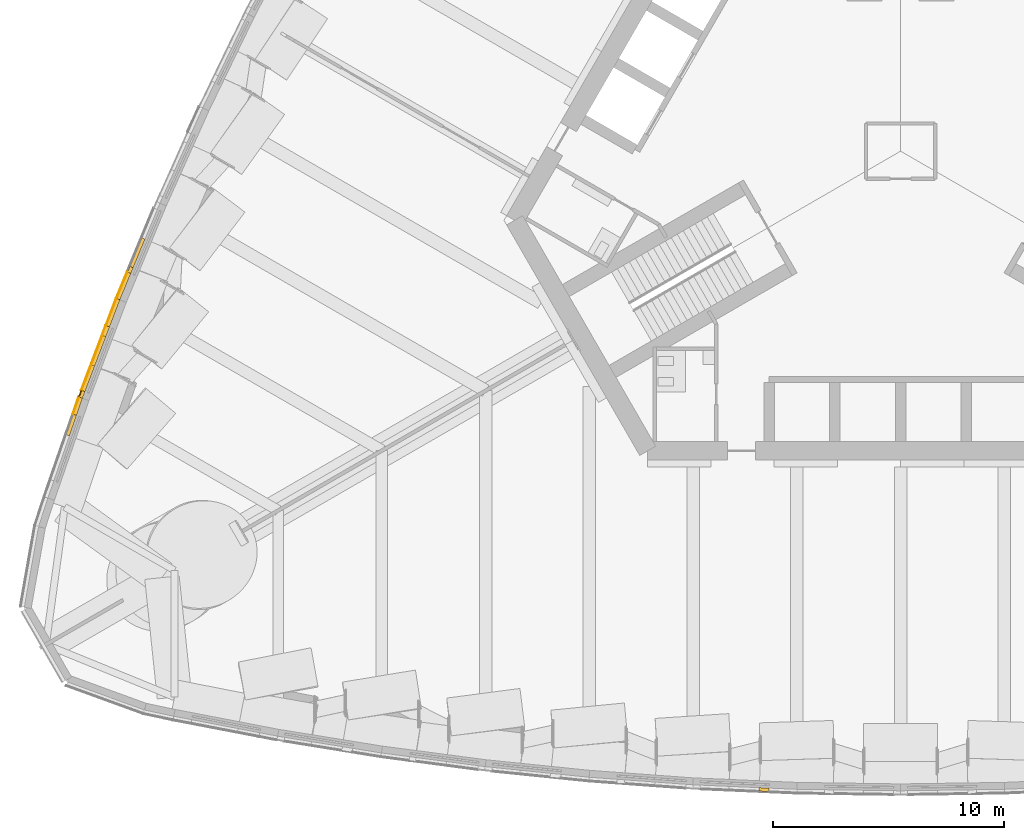
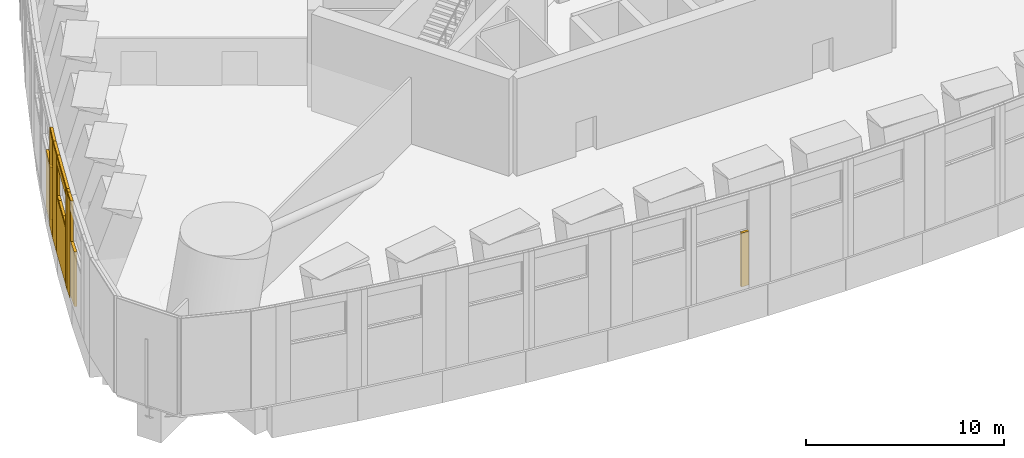
# One storey, part 15 of 28: 18 coverings.
"""IFC4 building model written with IfcOpenShell, lengths in metres."""

from ifc_helpers import new_model, si_unit, direction, frame, origin, origin_2d, place, context, subcontext, project, spatial, rectangle, extrude, material, layer, layer_set, type_object, element, save


model = new_model("IFC4")

# Units and contexts
model_context = context("Model", 3, precision=1e-05, world=origin(), true_north=direction((0.0, 1.0)))
body_context = subcontext(model_context, "Body", "Model", "MODEL_VIEW")
ifc_project = project(units=[si_unit("LENGTHUNIT", "METRE"), si_unit("AREAUNIT", "SQUARE_METRE"), si_unit("VOLUMEUNIT", "CUBIC_METRE"), si_unit("PLANEANGLEUNIT", "RADIAN"), si_unit("MASSUNIT", "GRAM", prefix="KILO")], contexts=[model_context])

# Site, building, storey
site_placement = place(None, origin())
site = spatial("IfcSite", under=ifc_project, at=site_placement, CompositionType="ELEMENT")
building_placement = place(site_placement, origin())
building = spatial("IfcBuilding", under=site, at=building_placement, Name="Trefoil Bronze Tower", CompositionType="ELEMENT")
storey_placement = place(building_placement, frame((0.0, 0.0, 92.10009765625)))
storey = spatial("IfcBuildingStorey", under=building, at=storey_placement, Name="L21", CompositionType="ELEMENT", Elevation=92.10009765625)

# Coverings
ifc_material_1 = material(Name="Bronze-finish aluminium rainscreen panel on aluminium rails", Category="aluminium")
ifc_layer_1 = layer(ifc_material_1, 0.0400390625)
ifc_layer_set_1 = layer_set([ifc_layer_1], Name="Bronze cladding panel 40")
covering_type_1 = type_object("IfcCoveringType", Name="Bronze cladding panel 40", PredefinedType="CLADDING", material=ifc_layer_set_1)
covering_1_placement = place(storey_placement, frame((-33.788818359375, -5.811767578125, 0.0), z_axis=(0.0, 0.0, 1.0), x_axis=(-0.382629580809, -0.923901836718, 0.0)))
element("IfcCovering", 1, at=covering_1_placement, inside=storey, type_object=covering_type_1, Name="Cladding panel L21 Face 3.13 piece 2", PredefinedType="CLADDING", context=body_context, shape_type="SweptSolid", body=[
    extrude(rectangle(XDim=1.23876953125, YDim=0.0400390625, at=origin_2d()), origin(), (0.0, 0.0, 1.0), 6.0),
])
covering_2_placement = place(storey_placement, frame((-34.2529296875, -6.98095703125, 0.0), z_axis=(0.0, 0.0, 1.0), x_axis=(-0.35537058554, -0.934725492823, 0.0)))
element("IfcCovering", 2, at=covering_2_placement, inside=storey, type_object=covering_type_1, Name="Cladding panel L21 Face 3.14 piece 1", PredefinedType="CLADDING", context=body_context, shape_type="SweptSolid", body=[
    extrude(rectangle(XDim=1.258544921875, YDim=0.0400390625, at=origin_2d()), origin(), (0.0, 0.0, 1.0), 6.0),
])
covering_3_placement = place(storey_placement, frame((-35.595947265625, -10.513671875, 0.0), z_axis=(0.0, 0.0, 1.0), x_axis=(-0.35537058554, -0.934725492823, 0.0)))
element("IfcCovering", 3, at=covering_3_placement, inside=storey, type_object=covering_type_1, Name="Cladding panel L21 Face 3.14 piece 2", PredefinedType="CLADDING", context=body_context, shape_type="SweptSolid", body=[
    extrude(rectangle(XDim=0.300048828125, YDim=0.0400390625, at=origin_2d()), origin(), (0.0, 0.0, 1.0), 6.0),
])
covering_4_placement = place(storey_placement, frame((-35.009521484375, -8.97119140625, 0.0), z_axis=(0.0, 0.0, 1.0), x_axis=(-0.35537058554, -0.934725492823, 0.0)))
element("IfcCovering", 4, at=covering_4_placement, inside=storey, type_object=covering_type_1, Name="Cladding panel L21 Face 3.14 piece 3", PredefinedType="CLADDING", context=body_context, shape_type="SweptSolid", body=[
    extrude(rectangle(XDim=3.0, YDim=0.0400390625, at=origin_2d()), origin(), (0.0, 0.0, 1.0), 3.5),
])
covering_5_placement = place(storey_placement, frame((-35.009521484375, -8.97119140625, 5.5), z_axis=(0.0, 0.0, 1.0), x_axis=(-0.35537058554, -0.934725492823, 0.0)))
element("IfcCovering", 5, at=covering_5_placement, inside=storey, type_object=covering_type_1, Name="Cladding panel L21 Face 3.14 piece 4", PredefinedType="CLADDING", context=body_context, shape_type="SweptSolid", body=[
    extrude(rectangle(XDim=3.0, YDim=0.0400390625, at=origin_2d()), origin(), (0.0, 0.0, 1.0), 0.5),
])
covering_6_placement = place(storey_placement, frame((-35.781982421875, -11.036376953125, 0.0), z_axis=(0.0, 0.0, 1.0), x_axis=(-0.327673733133, -0.94479094228, 0.0)))
element("IfcCovering", 6, at=covering_6_placement, inside=storey, type_object=covering_type_1, Name="Cladding panel L21 Face 3.15 piece 1", PredefinedType="CLADDING", context=body_context, shape_type="SweptSolid", body=[
    extrude(rectangle(XDim=0.791015625, YDim=0.0400390625, at=origin_2d()), origin(), (0.0, 0.0, 1.0), 6.0),
])
ifc_material_2 = material(Name="Non-combustible mineral wool slab", Category="insulation")
ifc_layer_2 = layer(ifc_material_2, 0.14990234375)
ifc_layer_set_2 = layer_set([ifc_layer_2], Name="Rainscreen insulation 150")
covering_type_2 = type_object("IfcCoveringType", Name="Rainscreen insulation 150", PredefinedType="INSULATION", material=ifc_layer_set_2)
covering_7_placement = place(storey_placement, frame((-5.92529296875, -27.696533203125, 0.1748046875), z_axis=(0.0, 0.0, 1.0), x_axis=(0.999052210812, -0.043527922899, 0.0)))
element("IfcCovering", 7, at=covering_7_placement, inside=storey, type_object=covering_type_2, Name="Insulation L21 Face 1.7 piece 3 part 3", PredefinedType="INSULATION", context=body_context, shape_type="SweptSolid", body=[
    extrude(rectangle(XDim=0.425048828125, YDim=0.14990234375, at=origin_2d()), origin(), (0.0, 0.0, 1.0), 3.324951171875),
])
covering_8_placement = place(storey_placement, frame((-33.701171875, -5.84814453125, 0.259765625), z_axis=(0.0, 0.0, 1.0), x_axis=(-0.382629580809, -0.923901836718, 0.0)))
element("IfcCovering", 8, at=covering_8_placement, inside=storey, type_object=covering_type_2, Name="Insulation L21 Face 3.13 piece 2", PredefinedType="INSULATION", context=body_context, shape_type="SweptSolid", body=[
    extrude(rectangle(XDim=1.23876953125, YDim=0.14990234375, at=origin_2d()), origin(), (0.0, 0.0, 1.0), 5.739990234375),
])
covering_9_placement = place(storey_placement, frame((-33.104736328125, -4.408203125, 0.0), z_axis=(0.0, 0.0, 1.0), x_axis=(-0.382629580809, -0.923901836718, 0.0)))
element("IfcCovering", 9, at=covering_9_placement, inside=storey, type_object=covering_type_2, Name="Insulation L21 Face 3.13 piece 3 part 2", PredefinedType="INSULATION", context=body_context, shape_type="SweptSolid", body=[
    extrude(rectangle(XDim=1.341552734375, YDim=0.14990234375, at=origin_2d()), origin(), (0.0, 0.0, 1.0), 3.5),
])
covering_10_placement = place(storey_placement, frame((-33.41259765625, -5.15185546875, 0.2900390625), z_axis=(0.0, 0.0, 1.0), x_axis=(-0.382629580809, -0.923901836718, 0.0)))
element("IfcCovering", 10, at=covering_10_placement, inside=storey, type_object=covering_type_2, Name="Insulation L21 Face 3.13 piece 3 part 3", PredefinedType="INSULATION", context=body_context, shape_type="SweptSolid", body=[
    extrude(rectangle(XDim=0.268310546875, YDim=0.14990234375, at=origin_2d()), origin(), (0.0, 0.0, 1.0), 3.2099609375),
])
covering_11_placement = place(storey_placement, frame((-34.1640625, -7.014892578125, 0.119873046875), z_axis=(0.0, 0.0, 1.0), x_axis=(-0.35537058554, -0.934725492823, 0.0)))
element("IfcCovering", 11, at=covering_11_placement, inside=storey, type_object=covering_type_2, Name="Insulation L21 Face 3.14 piece 1", PredefinedType="INSULATION", context=body_context, shape_type="SweptSolid", body=[
    extrude(rectangle(XDim=1.258544921875, YDim=0.14990234375, at=origin_2d()), origin(), (0.0, 0.0, 1.0), 5.8798828125),
])
covering_12_placement = place(storey_placement, frame((-35.507080078125, -10.54736328125, 0.15966796875), z_axis=(0.0, 0.0, 1.0), x_axis=(-0.35537058554, -0.934725492823, 0.0)))
element("IfcCovering", 12, at=covering_12_placement, inside=storey, type_object=covering_type_2, Name="Insulation L21 Face 3.14 piece 2", PredefinedType="INSULATION", context=body_context, shape_type="SweptSolid", body=[
    extrude(rectangle(XDim=0.300048828125, YDim=0.14990234375, at=origin_2d()), origin(), (0.0, 0.0, 1.0), 5.840087890625),
])
covering_13_placement = place(storey_placement, frame((-34.4677734375, -7.813232421875, 0.10498046875), z_axis=(0.0, 0.0, 1.0), x_axis=(-0.35537058554, -0.934725492823, 0.0)))
element("IfcCovering", 13, at=covering_13_placement, inside=storey, type_object=covering_type_2, Name="Insulation L21 Face 3.14 piece 3", PredefinedType="INSULATION", context=body_context, shape_type="SweptSolid", body=[
    extrude(rectangle(XDim=0.449951171875, YDim=0.14990234375, at=origin_2d()), origin(), (0.0, 0.0, 1.0), 3.39501953125),
])
covering_14_placement = place(storey_placement, frame((-34.789306640625, -8.658935546875, 0.0), z_axis=(0.0, 0.0, 1.0), x_axis=(-0.35537058554, -0.934725492823, 0.0)))
element("IfcCovering", 14, at=covering_14_placement, inside=storey, type_object=covering_type_2, Name="Insulation L21 Face 3.14 piece 3 part 2", PredefinedType="INSULATION", context=body_context, shape_type="SweptSolid", body=[
    extrude(rectangle(XDim=1.359619140625, YDim=0.14990234375, at=origin_2d()), origin(), (0.0, 0.0, 1.0), 3.5),
])
covering_15_placement = place(storey_placement, frame((-35.242431640625, -9.850830078125, 0.2900390625), z_axis=(0.0, 0.0, 1.0), x_axis=(-0.35537058554, -0.934725492823, 0.0)))
element("IfcCovering", 15, at=covering_15_placement, inside=storey, type_object=covering_type_2, Name="Insulation L21 Face 3.14 piece 3 part 3", PredefinedType="INSULATION", context=body_context, shape_type="SweptSolid", body=[
    extrude(rectangle(XDim=1.1904296875, YDim=0.14990234375, at=origin_2d()), origin(), (0.0, 0.0, 1.0), 3.2099609375),
])
covering_16_placement = place(storey_placement, frame((-34.9208984375, -9.005126953125, 5.5), z_axis=(0.0, 0.0, 1.0), x_axis=(-0.35537058554, -0.934725492823, 0.0)))
element("IfcCovering", 16, at=covering_16_placement, inside=storey, type_object=covering_type_2, Name="Insulation L21 Face 3.14 piece 4", PredefinedType="INSULATION", context=body_context, shape_type="SweptSolid", body=[
    extrude(rectangle(XDim=3.0, YDim=0.14990234375, at=origin_2d()), origin(), (0.0, 0.0, 1.0), 0.5),
])
covering_17_placement = place(storey_placement, frame((-35.6923828125, -11.0673828125, 0.1298828125), z_axis=(0.0, 0.0, 1.0), x_axis=(-0.327673733133, -0.94479094228, 0.0)))
element("IfcCovering", 17, at=covering_17_placement, inside=storey, type_object=covering_type_2, Name="Insulation L21 Face 3.15 piece 1", PredefinedType="INSULATION", context=body_context, shape_type="SweptSolid", body=[
    extrude(rectangle(XDim=0.791015625, YDim=0.14990234375, at=origin_2d()), origin(), (0.0, 0.0, 1.0), 5.8701171875),
])
covering_18_placement = place(storey_placement, frame((-35.97607421875, -11.88525390625, 0.11474609375), z_axis=(0.0, 0.0, 1.0), x_axis=(-0.327673733133, -0.94479094228, 0.0)))
element("IfcCovering", 18, at=covering_18_placement, inside=storey, type_object=covering_type_2, Name="Insulation L21 Face 3.15 piece 3", PredefinedType="INSULATION", context=body_context, shape_type="SweptSolid", body=[
    extrude(rectangle(XDim=0.93994140625, YDim=0.14990234375, at=origin_2d()), origin(), (0.0, 0.0, 1.0), 3.385009765625),
])

save(model, "model.ifc")
